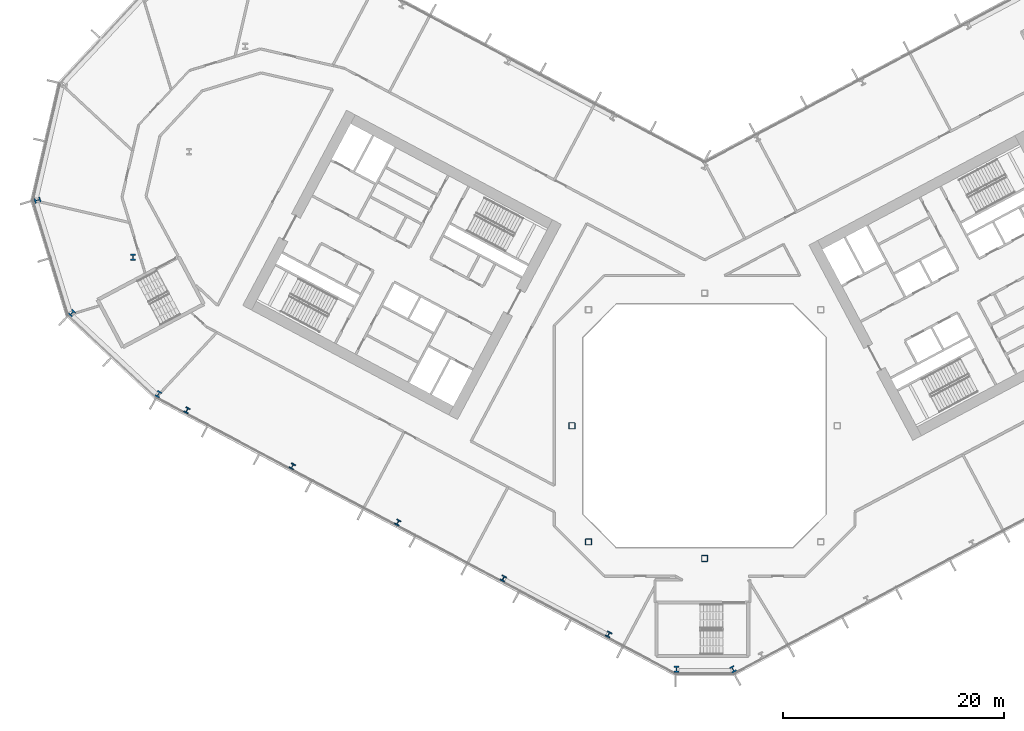
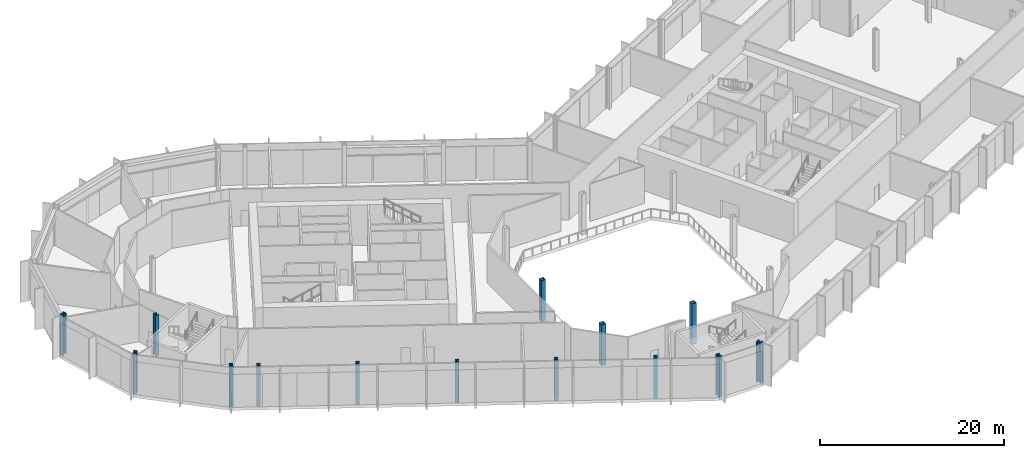
# One storey, part 1 of 31: 14 columns.
"""IFC4 building model written with IfcOpenShell, lengths in metres."""

from ifc_helpers import new_model, si_unit, direction, frame, origin, origin_2d, place, context, subcontext, project, spatial, hollow_rectangle, i_section, extrude, material, material_profile, profile_set, type_object, element, save


model = new_model("IFC4")

# Units and contexts
model_context = context("Model", 3, precision=1e-05, world=origin(), true_north=direction((0.0, 1.0)))
body_context = subcontext(model_context, "Body", "Model", "MODEL_VIEW")
ifc_project = project(units=[si_unit("LENGTHUNIT", "METRE"), si_unit("AREAUNIT", "SQUARE_METRE"), si_unit("VOLUMEUNIT", "CUBIC_METRE"), si_unit("PLANEANGLEUNIT", "RADIAN"), si_unit("MASSUNIT", "GRAM", prefix="KILO")], contexts=[model_context])

# Site, building, storey
site_placement = place(None, origin())
site = spatial("IfcSite", under=ifc_project, at=site_placement, CompositionType="ELEMENT")
building_placement = place(site_placement, origin())
building = spatial("IfcBuilding", under=site, at=building_placement, Name="Cormorant Relay Tower", CompositionType="ELEMENT")
storey_placement = place(building_placement, frame((0.0, 0.0, 12.199951171875)))
storey = spatial("IfcBuildingStorey", under=building, at=storey_placement, Name="L02", CompositionType="ELEMENT", Elevation=12.199951171875)

# Columns
ifc_material_1 = material(Name="Steel ASTM A1085 Grade A (Fy 345 MPa)", Category="steel")
ifc_material_profile_1 = material_profile(ifc_material_1, hollow_rectangle(XDim=0.558837890625, YDim=0.558837890625, WallThickness=0.023681640625, InnerFilletRadius=0.01171875, OuterFilletRadius=0.035400390625, at=origin_2d()), Name="HSS559x559x24")
ifc_profile_set_1 = profile_set([ifc_material_profile_1], Name="Steel ASTM A1085 Grade A (Fy 345 MPa)")
column_type_1 = type_object("IfcColumnType", Name="Column HSS559x559x24", PredefinedType="COLUMN", material=ifc_profile_set_1)
for number, where, z_axis, x_axis, name in (
    (1, (0.0, -12.0, 0.0), (0.0, 0.0, 1.0), (1.0, 0.0, 0.0), "Column L02-007"),
    (2, (-10.5, -10.5, 0.0), (0.0, 0.0, 1.0), (1.0, 0.0, 0.0), "Column L02-009"),
    (3, (-12.0, 0.0, 0.0), (0.0, 0.0, 1.0), (1.0, 0.0, 0.0), "Column L02-015"),
):
    element("IfcColumn", number, at=place(storey_placement, frame(where, z_axis=z_axis, x_axis=x_axis)), inside=storey, type_object=column_type_1, Name=name, PredefinedType="COLUMN", context=body_context, shape_type="SweptSolid", body=[
        extrude(hollow_rectangle(XDim=0.558837890625, YDim=0.558837890625, WallThickness=0.023681640625, InnerFilletRadius=0.01171875, OuterFilletRadius=0.035400390625, at=origin_2d()), origin(), (0.0, 0.0, 1.0), 5.400146484375),
    ])
ifc_material_2 = material(Name="Steel ASTM A992 (Fy 345 MPa)", Category="steel")
ifc_material_profile_2 = material_profile(ifc_material_2, i_section(OverallWidth=0.45458984375, OverallDepth=0.569091796875, WebThickness=0.077880859375, FlangeThickness=0.124755859375, FilletRadius=0.015380859375, at=origin_2d()), Name="W360x1086")
ifc_profile_set_2 = profile_set([ifc_material_profile_2], Name="Steel ASTM A992 (Fy 345 MPa)")
column_type_2 = type_object("IfcColumnType", Name="Column W360x1086", PredefinedType="COLUMN", material=ifc_profile_set_2)
for number, where, z_axis, x_axis, name in (
    (4, (-2.55908203125, -22.01708984375, 0.0), (0.0, 0.0, 1.0), (1.0, 0.0, 0.0), "Column L02-001"),
    (5, (2.55908203125, -22.01708984375, 0.0), (0.0, 0.0, 1.0), (0.882947592859, 0.469471562786, 0.0), "Column L02-002"),
    (6, (-49.39404296875, 2.861083984375, 0.0), (0.0, 0.0, 1.0), (0.882947592859, -0.469471562786, 0.0), "Column L02-018"),
    (7, (-57.218994140625, 10.198974609375, 0.0), (0.0, 0.0, 1.0), (0.731353701619, -0.681998360062, 0.0), "Column L02-021"),
    (8, (-51.68994140625, 15.251953125, 0.0), (0.0, 0.0, 1.0), (1.0, 0.0, 0.0), "Column L02-027"),
    (9, (-60.340087890625, 20.406982421875, 0.0), (0.0, 0.0, 1.0), (0.292371704723, -0.956304755963, 0.0), "Column L02-030"),
):
    element("IfcColumn", number, at=place(storey_placement, frame(where, z_axis=z_axis, x_axis=x_axis)), inside=storey, type_object=column_type_2, Name=name, PredefinedType="COLUMN", context=body_context, shape_type="SweptSolid", body=[
        extrude(i_section(OverallWidth=0.45458984375, OverallDepth=0.569091796875, WebThickness=0.077880859375, FlangeThickness=0.124755859375, FilletRadius=0.015380859375, at=origin_2d()), origin(), (0.0, 0.0, 1.0), 5.400146484375),
    ])
ifc_material_3 = material(Name="Steel ASTM A992 (Fy 345 MPa)", Category="steel")
ifc_material_profile_3 = material_profile(ifc_material_3, i_section(OverallWidth=0.43701171875, OverallDepth=0.51318359375, WebThickness=0.060546875, FlangeThickness=0.096923828125, FilletRadius=0.015380859375, at=origin_2d()), Name="W360x818")
ifc_profile_set_3 = profile_set([ifc_material_profile_3], Name="Steel ASTM A992 (Fy 345 MPa)")
column_type_3 = type_object("IfcColumnType", Name="Column W360x818", PredefinedType="COLUMN", material=ifc_profile_set_3)
for number, where, z_axis, x_axis, name in (
    (10, (-8.677001953125, -18.8759765625, 0.0), (0.0, 0.0, 1.0), (0.882947592859, -0.469471562786, 0.0), "Column L02-004"),
    (11, (-18.212890625, -13.804931640625, 0.0), (0.0, 0.0, 1.0), (0.882947592859, -0.469471562786, 0.0), "Column L02-006"),
    (12, (-27.7490234375, -8.735107421875, 0.0), (0.0, 0.0, 1.0), (0.882947592859, -0.469471562786, 0.0), "Column L02-011"),
    (13, (-37.284912109375, -3.6650390625, 0.0), (0.0, 0.0, 1.0), (0.882947592859, -0.469471562786, 0.0), "Column L02-013"),
    (14, (-46.821044921875, 1.405029296875, 0.0), (0.0, 0.0, 1.0), (0.882947592859, -0.469471562786, 0.0), "Column L02-017"),
):
    element("IfcColumn", number, at=place(storey_placement, frame(where, z_axis=z_axis, x_axis=x_axis)), inside=storey, type_object=column_type_3, Name=name, PredefinedType="COLUMN", context=body_context, shape_type="SweptSolid", body=[
        extrude(i_section(OverallWidth=0.43701171875, OverallDepth=0.51318359375, WebThickness=0.060546875, FlangeThickness=0.096923828125, FilletRadius=0.015380859375, at=origin_2d()), origin(), (0.0, 0.0, 1.0), 5.400146484375),
    ])

save(model, "model.ifc")
